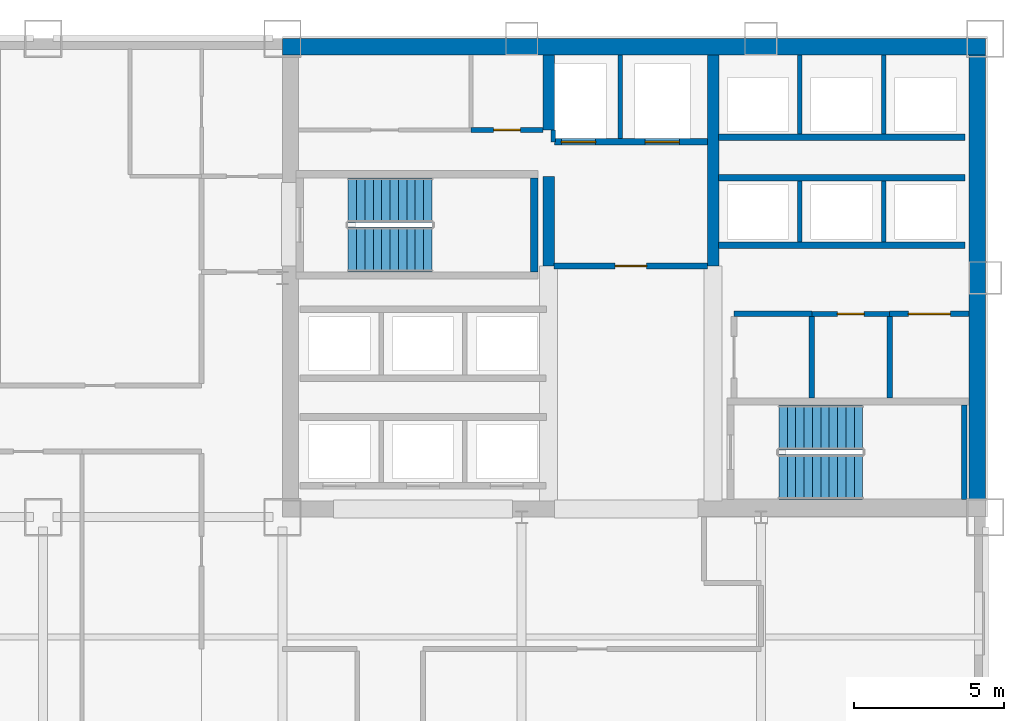
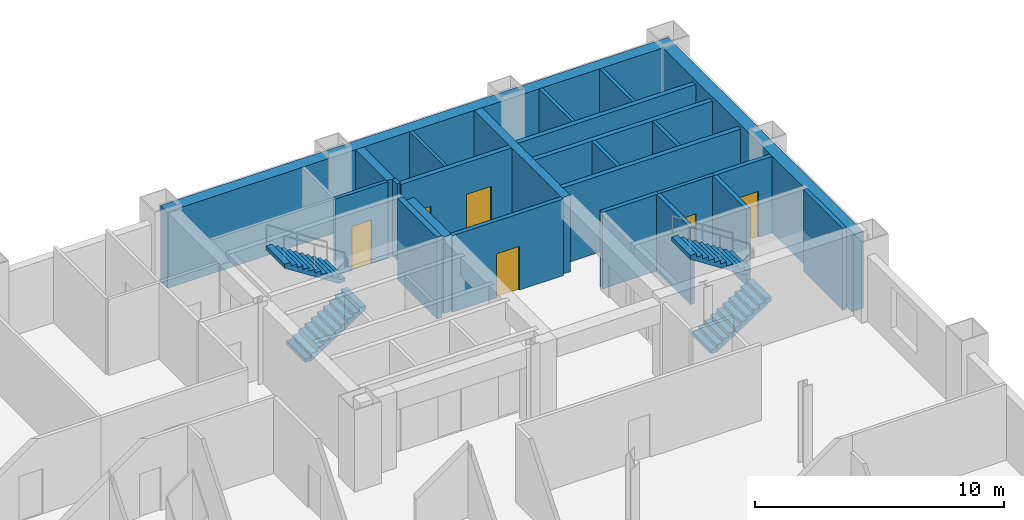
# One storey, part 7 of 9: 24 walls, 6 doors, 4 stair flights, 6 openings, 2 elements without a shape of their own.
"""IFC4 building model written with IfcOpenShell, lengths in metres."""

from ifc_helpers import new_model, si_unit, direction, frame, frame_2d, origin, place, context, subcontext, project, spatial, polyline, rectangle, outline, extrude, material, layer, layer_set, type_object, element, fill, aggregate, save


model = new_model("IFC4")

# Units and contexts
model_context = context("Model", 3, precision=1e-05, world=origin(), true_north=direction((0.0, 1.0)))
body_context = subcontext(model_context, "Body", "Model", "MODEL_VIEW")
ifc_project = project(units=[si_unit("LENGTHUNIT", "METRE"), si_unit("AREAUNIT", "SQUARE_METRE"), si_unit("VOLUMEUNIT", "CUBIC_METRE"), si_unit("PLANEANGLEUNIT", "RADIAN"), si_unit("MASSUNIT", "GRAM", prefix="KILO")], contexts=[model_context])

# Site, building, storey
site_placement = place(None, origin())
site = spatial("IfcSite", under=ifc_project, at=site_placement, CompositionType="ELEMENT")
building_placement = place(site_placement, origin())
building = spatial("IfcBuilding", under=site, at=building_placement, Name="Qianrong Seaharbour Tower", CompositionType="ELEMENT")
storey_placement = place(building_placement, frame((0.0, 0.0, 92.199951171875)))
storey = spatial("IfcBuildingStorey", under=building, at=storey_placement, Name="L22", CompositionType="ELEMENT", Elevation=92.199951171875)

# Walls
ifc_material_1 = material(Name="Concrete C70/85", Category="concrete")
ifc_layer_1 = layer(ifc_material_1, 0.5400390625)
ifc_layer_set_1 = layer_set([ifc_layer_1], Name="Concrete C70/85")
wall_type_1 = type_object("IfcWallType", Name="WALL-CORE-540", PredefinedType="SHEAR", material=ifc_layer_set_1)
wall_1_placement = place(storey_placement, frame((40.5, 51.72998046875, 0.0), z_axis=(0.0, 0.0, 1.0), x_axis=(1.0, 0.0, 0.0)))
element("IfcWall", 1, at=wall_1_placement, inside=storey, type_object=wall_type_1, Name="L22 North Core Shear Wall", PredefinedType="SHEAR", context=body_context, shape_type="SweptSolid", body=[
    extrude(rectangle(XDim=23.5, YDim=0.5400390625, at=frame_2d((11.75, 0.0))), origin(), (0.0, 0.0, 1.0), 3.75),
])
wall_2_placement = place(storey_placement, frame((63.72998046875, 36.320068359375, 0.0), z_axis=(0.0, 0.0, 1.0), x_axis=(0.0, 1.0, 0.0)))
element("IfcWall", 2, at=wall_2_placement, inside=storey, type_object=wall_type_1, Name="L22 East Core Shear Wall", PredefinedType="SHEAR", context=body_context, shape_type="SweptSolid", body=[
    extrude(rectangle(XDim=15.139892578125, YDim=0.5400390625, at=frame_2d((7.56982421875, 0.0))), origin(), (0.0, 0.0, 1.0), 3.75),
])
ifc_material_2 = material(Name="Concrete C60/75", Category="concrete")
ifc_layer_2 = layer(ifc_material_2, 0.3798828125)
ifc_layer_set_2 = layer_set([ifc_layer_2], Name="Concrete C60/75")
wall_type_2 = type_object("IfcWallType", Name="WALL-CORE-INT-380", PredefinedType="SHEAR", material=ifc_layer_set_2)
wall_3_placement = place(storey_placement, frame((49.39990234375, 44.39990234375, 0.0), z_axis=(0.0, 0.0, 1.0), x_axis=(0.0, 1.0, 0.0)))
element("IfcWall", 3, at=wall_3_placement, inside=storey, type_object=wall_type_2, Name="L22 Internal Core Shear Wall IW1N1", PredefinedType="SHEAR", context=body_context, shape_type="SweptSolid", body=[
    extrude(rectangle(XDim=3.0, YDim=0.3798828125, at=frame_2d((1.5, 0.0))), origin(), (0.0, 0.0, 1.0), 3.75),
])
wall_4_placement = place(storey_placement, frame((49.39990234375, 48.949951171875, 0.0), z_axis=(0.0, 0.0, 1.0), x_axis=(0.0, 1.0, 0.0)))
element("IfcWall", 4, at=wall_4_placement, inside=storey, type_object=wall_type_2, Name="L22 Internal Core Shear Wall IW1N2", PredefinedType="SHEAR", context=body_context, shape_type="SweptSolid", body=[
    extrude(rectangle(XDim=2.510009765625, YDim=0.3798828125, at=frame_2d((1.2548828125, 0.0))), origin(), (0.0, 0.0, 1.0), 3.75),
])
wall_5_placement = place(storey_placement, frame((54.89990234375, 44.39990234375, 0.0), z_axis=(0.0, 0.0, 1.0), x_axis=(0.0, 1.0, 0.0)))
element("IfcWall", 5, at=wall_5_placement, inside=storey, type_object=wall_type_2, Name="L22 Internal Core Shear Wall IW2N", PredefinedType="SHEAR", context=body_context, shape_type="SweptSolid", body=[
    extrude(rectangle(XDim=7.06005859375, YDim=0.3798828125, at=frame_2d((3.530029296875, 0.0))), origin(), (0.0, 0.0, 1.0), 3.75),
])

# Wall, opening, door
ifc_material_3 = material(Name="Fire-rated acoustic gypsum board partition")
ifc_layer_3 = layer(ifc_material_3, 0.1650390625)
ifc_layer_set_3 = layer_set([ifc_layer_3], Name="Fire-rated acoustic gypsum board partition")
wall_type_3 = type_object("IfcWallType", Name="WALL-CORR-PART-165", PredefinedType="PARTITIONING", material=ifc_layer_set_3)
wall_6_placement = place(storey_placement, frame((46.800048828125, 48.949951171875, 0.0), z_axis=(0.0, 0.0, 1.0), x_axis=(1.0, 0.0, 0.0)))
wall_6 = element("IfcWall", 6, at=wall_6_placement, inside=storey, type_object=wall_type_3, Name="L22 Interior Partition Wall 008", PredefinedType="PARTITIONING", context=body_context, shape_type="SweptSolid", body=[
    extrude(rectangle(XDim=2.41796875, YDim=0.1650390625, at=frame_2d((1.208984375, 0.0))), origin(), (0.0, 0.0, 1.0), 3.75),
])
opening_1_placement = place(wall_6_placement, frame((0.759033203125, 0.0, 0.0)))
opening_1 = element("IfcOpeningElement", 7, at=opening_1_placement, cuts=wall_6, Name="Opening DS-01", PredefinedType="OPENING", context=body_context, shape_type="SweptSolid", body=[
    extrude(rectangle(XDim=0.89990234375, YDim=2.14990234375, at=frame_2d((0.449951171875, 1.074951171875))), frame((0.0, 0.092529296875, 0.0), z_axis=(0.0, -1.0, 0.0), x_axis=(1.0, 0.0, 0.0)), (0.0, 0.0, 1.0), 0.18505859375),
])
ifc_material_4 = material(Name="Acoustic timber and galvanized steel fire door assembly", Category="steel")
door_type_1 = type_object("IfcDoorType", Name="DOOR-STORE-900x2150", OperationType="NOTDEFINED", PredefinedType="DOOR", material=ifc_material_4)
door_1_placement = place(opening_1_placement, origin())
door_1 = element("IfcDoor", 8, at=door_1_placement, inside=storey, type_object=door_type_1, Name="L22 Janitor Store Room Door", OperationType="SINGLE_SWING_RIGHT", OverallHeight=2.14990234375, OverallWidth=0.89990234375, PredefinedType="DOOR", context=body_context, shape_type="SweptSolid", body=[
    extrude(rectangle(XDim=0.89990234375, YDim=2.14990234375, at=frame_2d((0.449951171875, 1.074951171875))), frame((0.0, 0.02490234375, 0.0), z_axis=(0.0, -1.0, 0.0), x_axis=(1.0, 0.0, 0.0)), (0.0, 0.0, 1.0), 0.050048828125),
])
fill(opening_1, door_1)

wall_7_placement = place(storey_placement, frame((60.800048828125, 42.800048828125, 0.0), z_axis=(0.0, 0.0, 1.0), x_axis=(-1.0, 0.0, 0.0)))
wall_7 = element("IfcWall", 9, at=wall_7_placement, inside=storey, type_object=wall_type_3, Name="L22 Interior Partition Wall 012", PredefinedType="PARTITIONING", context=body_context, shape_type="SweptSolid", body=[
    extrude(rectangle(XDim=2.60009765625, YDim=0.1650390625, at=frame_2d((1.300048828125, 0.0))), origin(), (0.0, 0.0, 1.0), 3.75),
])
opening_2_placement = place(wall_7_placement, frame((0.85009765625, 0.0, 0.0)))
opening_2 = element("IfcOpeningElement", 10, at=opening_2_placement, cuts=wall_7, Name="Opening DS-01", PredefinedType="OPENING", context=body_context, shape_type="SweptSolid", body=[
    extrude(rectangle(XDim=0.89990234375, YDim=2.14990234375, at=frame_2d((0.449951171875, 1.074951171875))), frame((0.0, 0.092529296875, 0.0), z_axis=(0.0, -1.0, 0.0), x_axis=(1.0, 0.0, 0.0)), (0.0, 0.0, 1.0), 0.18505859375),
])
door_2_placement = place(opening_2_placement, origin())
door_2 = element("IfcDoor", 11, at=door_2_placement, inside=storey, type_object=door_type_1, Name="L22 Supply Store Room Door", OperationType="SINGLE_SWING_LEFT", OverallHeight=2.14990234375, OverallWidth=0.89990234375, PredefinedType="DOOR", context=body_context, shape_type="SweptSolid", body=[
    extrude(rectangle(XDim=0.89990234375, YDim=2.14990234375, at=frame_2d((0.449951171875, 1.074951171875))), frame((0.0, 0.02490234375, 0.0), z_axis=(0.0, -1.0, 0.0), x_axis=(1.0, 0.0, 0.0)), (0.0, 0.0, 1.0), 0.050048828125),
])
fill(opening_2, door_2)

ifc_material_5 = material(Name="Double fire-rated gypsum board acoustic partition")
ifc_layer_4 = layer(ifc_material_5, 0.18994140625)
ifc_layer_set_4 = layer_set([ifc_layer_4], Name="Double fire-rated gypsum board acoustic partition")
wall_type_4 = type_object("IfcWallType", Name="WALL-FIRE-PART-190", PredefinedType="PARTITIONING", material=ifc_layer_set_4)
wall_8_placement = place(storey_placement, frame((54.718017578125, 44.39990234375, 0.0), z_axis=(0.0, 0.0, 1.0), x_axis=(-1.0, 0.0, 0.0)))
wall_8 = element("IfcWall", 12, at=wall_8_placement, inside=storey, type_object=wall_type_4, Name="L22 Interior Partition Wall 009", PredefinedType="PARTITIONING", context=body_context, shape_type="SweptSolid", body=[
    extrude(rectangle(XDim=5.135986328125, YDim=0.18994140625, at=frame_2d((2.56787109375, 0.0))), origin(), (0.0, 0.0, 1.0), 3.75),
])
opening_3_placement = place(wall_8_placement, frame((2.04296875, 0.0, 0.0)))
opening_3 = element("IfcOpeningElement", 13, at=opening_3_placement, cuts=wall_8, Name="Opening DC-01", PredefinedType="OPENING", context=body_context, shape_type="SweptSolid", body=[
    extrude(rectangle(XDim=1.050048828125, YDim=2.14990234375, at=frame_2d((0.52490234375, 1.074951171875))), frame((0.0, 0.10498046875, 0.0), z_axis=(0.0, -1.0, 0.0), x_axis=(1.0, 0.0, 0.0)), (0.0, 0.0, 1.0), 0.2099609375),
])
door_type_2 = type_object("IfcDoorType", Name="DOOR-CORR-FD60-1050x2150", OperationType="NOTDEFINED", PredefinedType="DOOR", material=ifc_material_4)
door_3_placement = place(opening_3_placement, origin())
door_3 = element("IfcDoor", 14, at=door_3_placement, inside=storey, type_object=door_type_2, Name="L22 Firefighting Lift Lobby Door", OperationType="SINGLE_SWING_RIGHT", OverallHeight=2.14990234375, OverallWidth=1.050048828125, PredefinedType="DOOR", context=body_context, shape_type="SweptSolid", body=[
    extrude(rectangle(XDim=1.050048828125, YDim=2.14990234375, at=frame_2d((0.52490234375, 1.074951171875))), frame((0.0, 0.02490234375, 0.0), z_axis=(0.0, -1.0, 0.0), x_axis=(1.0, 0.0, 0.0)), (0.0, 0.0, 1.0), 0.050048828125),
])
fill(opening_3, door_3)

# Wall
wall_9_placement = place(storey_placement, frame((58.199951171875, 42.800048828125, 0.0), z_axis=(0.0, 0.0, 1.0), x_axis=(-1.0, 0.0, 0.0)))
element("IfcWall", 15, at=wall_9_placement, inside=storey, type_object=wall_type_4, Name="L22 Interior Partition Wall 011", PredefinedType="PARTITIONING", context=body_context, shape_type="SweptSolid", body=[
    extrude(rectangle(XDim=2.599853515625, YDim=0.18994140625, at=frame_2d((1.2998046875, 0.0))), origin(), (0.0, 0.0, 1.0), 3.75),
])

# Wall, opening, door
wall_10_placement = place(storey_placement, frame((63.4599609375, 42.800048828125, 0.0), z_axis=(0.0, 0.0, 1.0), x_axis=(-1.0, 0.0, 0.0)))
wall_10 = element("IfcWall", 16, at=wall_10_placement, inside=storey, type_object=wall_type_4, Name="L22 Interior Partition Wall 013", PredefinedType="PARTITIONING", context=body_context, shape_type="SweptSolid", body=[
    extrude(rectangle(XDim=2.659912109375, YDim=0.18994140625, at=frame_2d((1.330078125, 0.0))), origin(), (0.0, 0.0, 1.0), 3.75),
])
opening_4_placement = place(wall_10_placement, frame((0.6298828125, 0.0, 0.0)))
opening_4 = element("IfcOpeningElement", 17, at=opening_4_placement, cuts=wall_10, Name="Opening DP-01", PredefinedType="OPENING", context=body_context, shape_type="SweptSolid", body=[
    extrude(rectangle(XDim=1.39990234375, YDim=2.25, at=frame_2d((0.699951171875, 1.125))), frame((0.0, 0.10498046875, 0.0), z_axis=(0.0, -1.0, 0.0), x_axis=(1.0, 0.0, 0.0)), (0.0, 0.0, 1.0), 0.2099609375),
])
door_type_3 = type_object("IfcDoorType", Name="DOOR-PLANT-PAIR-1400x2250", OperationType="DOUBLE_DOOR_SINGLE_SWING", PredefinedType="DOOR", material=ifc_material_4)
door_4_placement = place(opening_4_placement, origin())
door_4 = element("IfcDoor", 18, at=door_4_placement, inside=storey, type_object=door_type_3, Name="L22 Building Metering Room Door", OperationType="DOUBLE_DOOR_SINGLE_SWING", OverallHeight=2.25, OverallWidth=1.39990234375, PredefinedType="DOOR", context=body_context, shape_type="SweptSolid", body=[
    extrude(rectangle(XDim=1.39990234375, YDim=2.25, at=frame_2d((0.699951171875, 1.125))), frame((0.0, 0.02490234375, 0.0), z_axis=(0.0, -1.0, 0.0), x_axis=(1.0, 0.0, 0.0)), (0.0, 0.0, 1.0), 0.050048828125),
])
fill(opening_4, door_4)

# Walls
for number, where, z_axis, x_axis, name in (
    (19, (58.199951171875, 42.712890625, 0.0), (0.0, 0.0, 1.0), (0.0, -1.0, 0.0), "L22 Interior Partition Wall 015"),
    (20, (60.800048828125, 42.712890625, 0.0), (0.0, 0.0, 1.0), (0.0, -1.0, 0.0), "L22 Interior Partition Wall 016"),
):
    element("IfcWall", number, at=place(storey_placement, frame(where, z_axis=z_axis, x_axis=x_axis)), inside=storey, type_object=wall_type_4, Name=name, PredefinedType="PARTITIONING", context=body_context, shape_type="SweptSolid", body=[
        extrude(rectangle(XDim=2.73095703125, YDim=0.18994140625, at=frame_2d((1.365478515625, 0.0))), origin(), (0.0, 0.0, 1.0), 3.75),
    ])
ifc_material_6 = material(Name="Fire-rated gypsum board on steel studs", Category="steel")
ifc_layer_5 = layer(ifc_material_6, 0.14990234375)
ifc_layer_set_5 = layer_set([ifc_layer_5], Name="Fire-rated gypsum board on steel studs")
wall_type_5 = type_object("IfcWallType", Name="WALL-SHAFT-DIV-150", PredefinedType="PARTITIONING", material=ifc_layer_set_5)
wall_11_placement = place(storey_placement, frame((51.800048828125, 48.669921875, 0.0), z_axis=(0.0, 0.0, 1.0), x_axis=(0.0, 1.0, 0.0)))
element("IfcWall", 21, at=wall_11_placement, inside=storey, type_object=wall_type_5, Name="L22 Firefighting Lift Shaft Divider Wall", PredefinedType="PARTITIONING", context=body_context, shape_type="SweptSolid", body=[
    extrude(rectangle(XDim=2.7900390625, YDim=0.14990234375, at=frame_2d((1.39501953125, 0.0))), origin(), (0.0, 0.0, 1.0), 3.75),
])
wall_12_placement = place(storey_placement, frame((49.550048828125, 48.550048828125, 0.0), z_axis=(0.0, 0.0, 1.0), x_axis=(0.0, 1.0, 0.0)))
element("IfcWall", 22, at=wall_12_placement, inside=storey, type_object=wall_type_5, Name="L22 Firefighting Lift Shaft West Return Wall", PredefinedType="PARTITIONING", context=body_context, shape_type="SweptSolid", body=[
    extrude(rectangle(XDim=0.39990234375, YDim=0.14990234375, at=frame_2d((0.199951171875, 0.0))), origin(), (0.0, 0.0, 1.0), 3.75),
])
for number, where, z_axis, x_axis, name in (
    (23, (57.800048828125, 45.2099609375, 0.0), (0.0, 0.0, 1.0), (0.0, 1.0, 0.0), "L22 P3 Lift Hoistway Divider 2"),
    (24, (60.60009765625, 45.2099609375, 0.0), (0.0, 0.0, 1.0), (0.0, 1.0, 0.0), "L22 P3 Lift Hoistway Divider 3"),
):
    element("IfcWall", number, at=place(storey_placement, frame(where, z_axis=z_axis, x_axis=x_axis)), inside=storey, type_object=wall_type_5, Name=name, PredefinedType="PARTITIONING", context=body_context, shape_type="SweptSolid", body=[
        extrude(rectangle(XDim=2.030029296875, YDim=0.14990234375, at=frame_2d((1.01513671875, 0.0))), origin(), (0.0, 0.0, 1.0), 3.75),
    ])
for number, where, z_axis, x_axis, name in (
    (25, (57.800048828125, 48.81005859375, 0.0), (0.0, 0.0, 1.0), (0.0, 1.0, 0.0), "L22 P4 Lift Hoistway Divider 2"),
    (26, (60.60009765625, 48.81005859375, 0.0), (0.0, 0.0, 1.0), (0.0, 1.0, 0.0), "L22 P4 Lift Hoistway Divider 3"),
):
    element("IfcWall", number, at=place(storey_placement, frame(where, z_axis=z_axis, x_axis=x_axis)), inside=storey, type_object=wall_type_5, Name=name, PredefinedType="PARTITIONING", context=body_context, shape_type="SweptSolid", body=[
        extrude(rectangle(XDim=2.64990234375, YDim=0.14990234375, at=frame_2d((1.324951171875, 0.0))), origin(), (0.0, 0.0, 1.0), 3.75),
    ])

# Wall, openings, doors
ifc_layer_6 = layer(ifc_material_6, 0.219970703125)
ifc_layer_set_6 = layer_set([ifc_layer_6], Name="Fire-rated gypsum board on steel studs")
wall_type_6 = type_object("IfcWallType", Name="WALL-SHAFT-GYP220", PredefinedType="PARTITIONING", material=ifc_layer_set_6)
wall_13_placement = place(storey_placement, frame((54.7099609375, 48.550048828125, 0.0), z_axis=(0.0, 0.0, 1.0), x_axis=(-1.0, 0.0, 0.0)))
wall_13 = element("IfcWall", 27, at=wall_13_placement, inside=storey, type_object=wall_type_6, Name="L22 Firefighting Lift Shaft Front Wall", PredefinedType="PARTITIONING", context=body_context, shape_type="SweptSolid", body=[
    extrude(rectangle(XDim=5.119873046875, YDim=0.219970703125, at=frame_2d((2.56005859375, 0.0))), origin(), (0.0, 0.0, 1.0), 3.75),
])
opening_5_placement = place(wall_13_placement, frame((3.735107421875, 0.0, 0.0)))
opening_5 = element("IfcOpeningElement", 28, at=opening_5_placement, cuts=wall_13, Name="Opening LD-01", PredefinedType="OPENING", context=body_context, shape_type="SweptSolid", body=[
    extrude(rectangle(XDim=1.14990234375, YDim=2.199951171875, at=frame_2d((0.574951171875, 1.10009765625))), frame((0.0, 0.1201171875, 0.0), z_axis=(0.0, -1.0, 0.0), x_axis=(1.0, 0.0, 0.0)), (0.0, 0.0, 1.0), 0.239990234375),
])
opening_6_placement = place(wall_13_placement, frame((0.93505859375, 0.0, 0.0)))
opening_6 = element("IfcOpeningElement", 29, at=opening_6_placement, cuts=wall_13, Name="Opening LD-01", PredefinedType="OPENING", context=body_context, shape_type="SweptSolid", body=[
    extrude(rectangle(XDim=1.14990234375, YDim=2.199951171875, at=frame_2d((0.574951171875, 1.10009765625))), frame((0.0, 0.1201171875, 0.0), z_axis=(0.0, -1.0, 0.0), x_axis=(1.0, 0.0, 0.0)), (0.0, 0.0, 1.0), 0.239990234375),
])
ifc_material_7 = material(Name="Stainless steel SUS316L bi-parting lift landing door", Category="steel")
door_type_4 = type_object("IfcDoorType", Name="DOOR-LIFT-FF-1150x2200", OperationType="DOUBLE_DOOR_SLIDING", PredefinedType="DOOR", material=ifc_material_7)
door_5_placement = place(opening_5_placement, origin())
door_5 = element("IfcDoor", 30, at=door_5_placement, inside=storey, type_object=door_type_4, Name="L22 FL-1 Firefighting Lift Landing Door", OperationType="DOUBLE_DOOR_SLIDING", OverallHeight=2.199951171875, OverallWidth=1.14990234375, PredefinedType="DOOR", context=body_context, shape_type="SweptSolid", body=[
    extrude(rectangle(XDim=1.14990234375, YDim=2.199951171875, at=frame_2d((0.574951171875, 1.10009765625))), frame((0.0, 0.02490234375, 0.0), z_axis=(0.0, -1.0, 0.0), x_axis=(1.0, 0.0, 0.0)), (0.0, 0.0, 1.0), 0.050048828125),
])
fill(opening_5, door_5)
door_6_placement = place(opening_6_placement, origin())
door_6 = element("IfcDoor", 31, at=door_6_placement, inside=storey, type_object=door_type_4, Name="L22 FL-2 Firefighting Lift Landing Door", OperationType="DOUBLE_DOOR_SLIDING", OverallHeight=2.199951171875, OverallWidth=1.14990234375, PredefinedType="DOOR", context=body_context, shape_type="SweptSolid", body=[
    extrude(rectangle(XDim=1.14990234375, YDim=2.199951171875, at=frame_2d((0.574951171875, 1.10009765625))), frame((0.0, 0.02490234375, 0.0), z_axis=(0.0, -1.0, 0.0), x_axis=(1.0, 0.0, 0.0)), (0.0, 0.0, 1.0), 0.050048828125),
])
fill(opening_6, door_6)

# Walls
for number, where, z_axis, x_axis, name in (
    (32, (63.320068359375, 45.10009765625, 0.0), (0.0, 0.0, 1.0), (-1.0, 0.0, 0.0), "L22 P3 Lift Hoistway Front Wall"),
    (33, (55.080078125, 47.35009765625, 0.0), (0.0, 0.0, 1.0), (1.0, 0.0, 0.0), "L22 P3 Lift Hoistway Back Wall"),
    (34, (63.320068359375, 48.699951171875, 0.0), (0.0, 0.0, 1.0), (-1.0, 0.0, 0.0), "L22 P4 Lift Hoistway Front Wall"),
):
    element("IfcWall", number, at=place(storey_placement, frame(where, z_axis=z_axis, x_axis=x_axis)), inside=storey, type_object=wall_type_6, Name=name, PredefinedType="PARTITIONING", context=body_context, shape_type="SweptSolid", body=[
        extrude(rectangle(XDim=8.239990234375, YDim=0.219970703125, at=frame_2d((4.1201171875, 0.0))), origin(), (0.0, 0.0, 1.0), 3.75),
    ])
ifc_material_8 = material(Name="Concrete C50/60", Category="concrete")
ifc_layer_7 = layer(ifc_material_8, 0.239990234375)
ifc_layer_set_7 = layer_set([ifc_layer_7], Name="Concrete C50/60")
wall_type_7 = type_object("IfcWallType", Name="WALL-SHAFT-RC240", PredefinedType="SOLIDWALL", material=ifc_layer_set_7)
wall_14_placement = place(storey_placement, frame((48.919921875, 44.199951171875, 0.0), z_axis=(0.0, 0.0, 1.0), x_axis=(0.0, 1.0, 0.0)))
element("IfcWall", 35, at=wall_14_placement, inside=storey, type_object=wall_type_7, Name="L22 ST-1 Structural Stair Core Wall E", PredefinedType="SOLIDWALL", context=body_context, shape_type="SweptSolid", body=[
    extrude(rectangle(XDim=3.150146484375, YDim=0.239990234375, at=frame_2d((1.5751953125, 0.0))), origin(), (0.0, 0.0, 1.0), 4.0),
])
wall_15_placement = place(storey_placement, frame((63.2900390625, 36.60009765625, 0.0), z_axis=(0.0, 0.0, 1.0), x_axis=(0.0, 1.0, 0.0)))
element("IfcWall", 36, at=wall_15_placement, inside=storey, type_object=wall_type_7, Name="L22 ST-2 Structural Stair Core Wall E", PredefinedType="SOLIDWALL", context=body_context, shape_type="SweptSolid", body=[
    extrude(rectangle(XDim=3.14990234375, YDim=0.179931640625, at=frame_2d((1.574951171875, 0.0))), origin(), (0.0, 0.0, 1.0), 4.0),
])

# Stair, stair flights
stair_type = type_object("IfcStairType", Name="STAIR-DOGLEG-1500-R22", PredefinedType="HALF_TURN_STAIR", material=ifc_material_8)
stair_1_placement = place(storey_placement, origin())
stair_1 = element("IfcStair", 37, at=stair_1_placement, inside=storey, type_object=stair_type, Name="L22 Protected Escape Stair ST-1", PredefinedType="HALF_TURN_STAIR")
stair_flight_type = type_object("IfcStairFlightType", Name="FLIGHT-STR-1500-R22", PredefinedType="STRAIGHT", material=ifc_material_8)
stair_flight_1_placement = place(storey_placement, frame((42.699951171875, 44.949951171875, 0.0), z_axis=(0.0, 0.0, 1.0), x_axis=(1.0, 0.0, 0.0)))
stair_flight_1 = element("IfcStairFlight", 38, at=stair_flight_1_placement, type_object=stair_flight_type, Name="ST-1 flight 1", NumberOfRisers=11, NumberOfTreads=10, PredefinedType="STRAIGHT", RiserHeight=0.181818182, TreadLength=0.28, context=body_context, shape_type="SweptSolid", body=[
    extrude(outline(polyline([(0.0, 0.0), (0.0, 0.181884765625), (0.280029296875, 0.181884765625), (0.280029296875, 0.363525390625), (0.56005859375, 0.363525390625), (0.56005859375, 0.54541015625), (0.840087890625, 0.54541015625), (0.840087890625, 0.727294921875), (1.1201171875, 0.727294921875), (1.1201171875, 0.9091796875), (1.39990234375, 0.9091796875), (1.39990234375, 1.0908203125), (1.679931640625, 1.0908203125), (1.679931640625, 1.272705078125), (1.9599609375, 1.272705078125), (1.9599609375, 1.45458984375), (2.239990234375, 1.45458984375), (2.239990234375, 1.636474609375), (2.52001953125, 1.636474609375), (2.52001953125, 1.818115234375), (2.800048828125, 1.818115234375), (2.800048828125, 2.0), (2.800048828125, 1.62744140625), (0.293701171875, 0.0), (0.0, 0.0)])), frame((0.0, 0.75, 0.0), z_axis=(0.0, -1.0, 0.0), x_axis=(1.0, 0.0, 0.0)), (0.0, 0.0, 1.0), 1.5),
])
stair_flight_2_placement = place(storey_placement, frame((45.5, 46.60009765625, 2.0), z_axis=(0.0, 0.0, 1.0), x_axis=(-1.0, 0.0, 0.0)))
stair_flight_2 = element("IfcStairFlight", 39, at=stair_flight_2_placement, type_object=stair_flight_type, Name="ST-1 flight 2", NumberOfRisers=11, NumberOfTreads=10, PredefinedType="STRAIGHT", RiserHeight=0.181818182, TreadLength=0.28, context=body_context, shape_type="SweptSolid", body=[
    extrude(outline(polyline([(0.0, 0.0), (0.0, 0.181884765625), (0.280029296875, 0.181884765625), (0.280029296875, 0.363525390625), (0.56005859375, 0.363525390625), (0.56005859375, 0.54541015625), (0.840087890625, 0.54541015625), (0.840087890625, 0.727294921875), (1.1201171875, 0.727294921875), (1.1201171875, 0.9091796875), (1.39990234375, 0.9091796875), (1.39990234375, 1.0908203125), (1.679931640625, 1.0908203125), (1.679931640625, 1.272705078125), (1.9599609375, 1.272705078125), (1.9599609375, 1.45458984375), (2.239990234375, 1.45458984375), (2.239990234375, 1.636474609375), (2.52001953125, 1.636474609375), (2.52001953125, 1.818115234375), (2.800048828125, 1.818115234375), (2.800048828125, 2.0), (2.800048828125, 1.62744140625), (0.293701171875, 0.0), (0.0, 0.0)])), frame((0.0, 0.75, 0.0), z_axis=(0.0, -1.0, 0.0), x_axis=(1.0, 0.0, 0.0)), (0.0, 0.0, 1.0), 1.5),
])
aggregate(stair_1, [stair_flight_1, stair_flight_2])

stair_2_placement = place(storey_placement, origin())
stair_2 = element("IfcStair", 40, at=stair_2_placement, inside=storey, type_object=stair_type, Name="L22 Protected Escape Stair ST-2", PredefinedType="HALF_TURN_STAIR")
stair_flight_3_placement = place(storey_placement, frame((57.10009765625, 37.35009765625, 0.0), z_axis=(0.0, 0.0, 1.0), x_axis=(1.0, 0.0, 0.0)))
stair_flight_3 = element("IfcStairFlight", 41, at=stair_flight_3_placement, type_object=stair_flight_type, Name="ST-2 flight 1", NumberOfRisers=11, NumberOfTreads=10, PredefinedType="STRAIGHT", RiserHeight=0.181818182, TreadLength=0.28, context=body_context, shape_type="SweptSolid", body=[
    extrude(outline(polyline([(0.0, 0.0), (0.0, 0.181884765625), (0.280029296875, 0.181884765625), (0.280029296875, 0.363525390625), (0.56005859375, 0.363525390625), (0.56005859375, 0.54541015625), (0.840087890625, 0.54541015625), (0.840087890625, 0.727294921875), (1.1201171875, 0.727294921875), (1.1201171875, 0.9091796875), (1.39990234375, 0.9091796875), (1.39990234375, 1.0908203125), (1.679931640625, 1.0908203125), (1.679931640625, 1.272705078125), (1.9599609375, 1.272705078125), (1.9599609375, 1.45458984375), (2.239990234375, 1.45458984375), (2.239990234375, 1.636474609375), (2.52001953125, 1.636474609375), (2.52001953125, 1.818115234375), (2.800048828125, 1.818115234375), (2.800048828125, 2.0), (2.800048828125, 1.62744140625), (0.293701171875, 0.0), (0.0, 0.0)])), frame((0.0, 0.75, 0.0), z_axis=(0.0, -1.0, 0.0), x_axis=(1.0, 0.0, 0.0)), (0.0, 0.0, 1.0), 1.5),
])
stair_flight_4_placement = place(storey_placement, frame((59.89990234375, 39.0, 2.0), z_axis=(0.0, 0.0, 1.0), x_axis=(-1.0, 0.0, 0.0)))
stair_flight_4 = element("IfcStairFlight", 42, at=stair_flight_4_placement, type_object=stair_flight_type, Name="ST-2 flight 2", NumberOfRisers=11, NumberOfTreads=10, PredefinedType="STRAIGHT", RiserHeight=0.181818182, TreadLength=0.28, context=body_context, shape_type="SweptSolid", body=[
    extrude(outline(polyline([(0.0, 0.0), (0.0, 0.181884765625), (0.280029296875, 0.181884765625), (0.280029296875, 0.363525390625), (0.56005859375, 0.363525390625), (0.56005859375, 0.54541015625), (0.840087890625, 0.54541015625), (0.840087890625, 0.727294921875), (1.1201171875, 0.727294921875), (1.1201171875, 0.9091796875), (1.39990234375, 0.9091796875), (1.39990234375, 1.0908203125), (1.679931640625, 1.0908203125), (1.679931640625, 1.272705078125), (1.9599609375, 1.272705078125), (1.9599609375, 1.45458984375), (2.239990234375, 1.45458984375), (2.239990234375, 1.636474609375), (2.52001953125, 1.636474609375), (2.52001953125, 1.818115234375), (2.800048828125, 1.818115234375), (2.800048828125, 2.0), (2.800048828125, 1.62744140625), (0.293701171875, 0.0), (0.0, 0.0)])), frame((0.0, 0.75, 0.0), z_axis=(0.0, -1.0, 0.0), x_axis=(1.0, 0.0, 0.0)), (0.0, 0.0, 1.0), 1.5),
])
aggregate(stair_2, [stair_flight_3, stair_flight_4])

save(model, "model.ifc")
